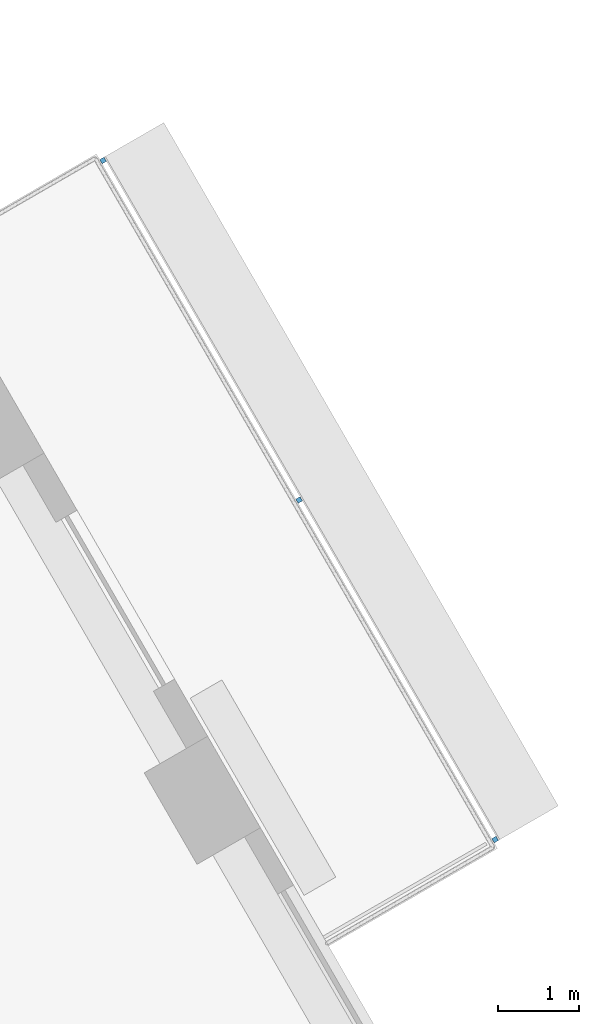
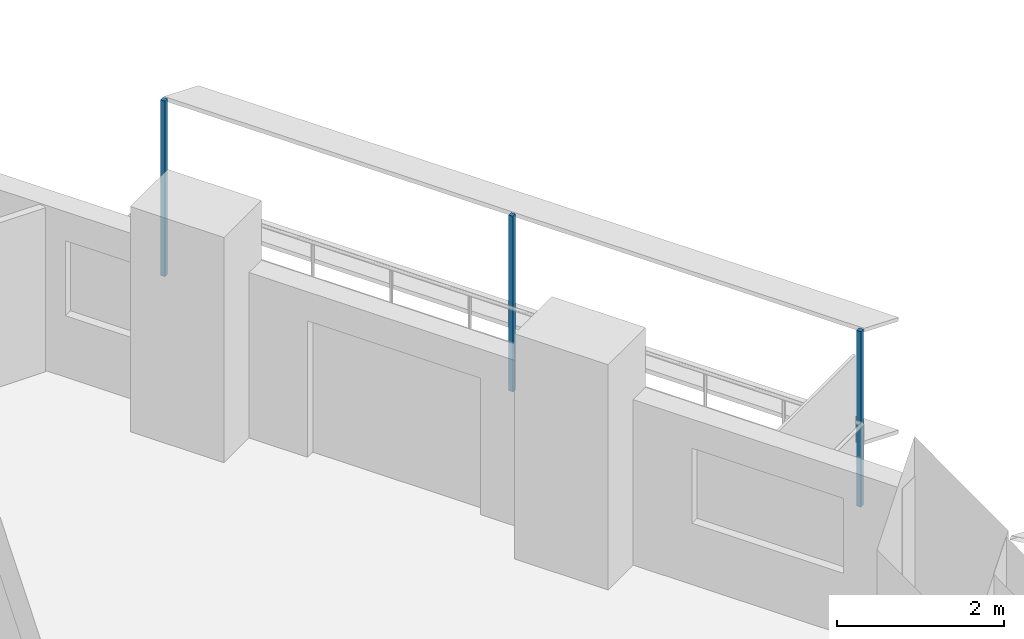
# One storey, part 11 of 14: 3 discrete accessories.
"""IFC4 building model written with IfcOpenShell, lengths in metres."""

from ifc_helpers import new_model, si_unit, direction, frame, origin, origin_2d, place, context, subcontext, project, spatial, rectangle, extrude, material, type_object, element, save


model = new_model("IFC4")

# Units and contexts
model_context = context("Model", 3, precision=1e-05, world=origin(), true_north=direction((0.0, 1.0)))
body_context = subcontext(model_context, "Body", "Model", "MODEL_VIEW")
ifc_project = project(units=[si_unit("LENGTHUNIT", "METRE"), si_unit("AREAUNIT", "SQUARE_METRE"), si_unit("VOLUMEUNIT", "CUBIC_METRE"), si_unit("PLANEANGLEUNIT", "RADIAN"), si_unit("MASSUNIT", "GRAM", prefix="KILO")], contexts=[model_context])

# Site, building, storey
site_placement = place(None, origin())
site = spatial("IfcSite", under=ifc_project, at=site_placement, CompositionType="ELEMENT")
building_placement = place(site_placement, origin())
building = spatial("IfcBuilding", under=site, at=building_placement, Name="Nakaniwa Court", CompositionType="ELEMENT")
storey_placement = place(building_placement, frame((0.0, 0.0, 163.5)))
storey = spatial("IfcBuildingStorey", under=building, at=storey_placement, Name="L43", CompositionType="ELEMENT", Elevation=163.5)

# Discrete accessories
ifc_material = material(Name="Black powder-coated steel bracket S275", Category="steel")
discrete_accessory_type = type_object("IfcDiscreteAccessoryType", Name="Black metal louvre bracket", PredefinedType="BRACKET", material=ifc_material)
for number, where, z_axis, x_axis, name in (
    (1, (103.91259765625, 91.442138671875, -0.22998046875), (0.0, 0.0, 1.0), (-0.500004534492, 0.866022785779, 0.0), "L43 louvre bracket 01 1"),
    (2, (101.5, 95.62109375, -0.22998046875), (0.0, 0.0, 1.0), (-0.500004534492, 0.866022785779, 0.0), "L43 louvre bracket 01 2"),
    (3, (99.087158203125, 99.800048828125, -0.22998046875), (0.0, 0.0, 1.0), (-0.500004534492, 0.866022785779, 0.0), "L43 louvre bracket 01 3"),
):
    element("IfcDiscreteAccessory", number, at=place(storey_placement, frame(where, z_axis=z_axis, x_axis=x_axis)), inside=storey, type_object=discrete_accessory_type, Name=name, PredefinedType="BRACKET", context=body_context, shape_type="SweptSolid", body=[
        extrude(rectangle(XDim=0.06005859375, YDim=0.06005859375, at=origin_2d()), origin(), (0.0, 0.0, 1.0), 2.5751953125),
    ])

save(model, "model.ifc")
